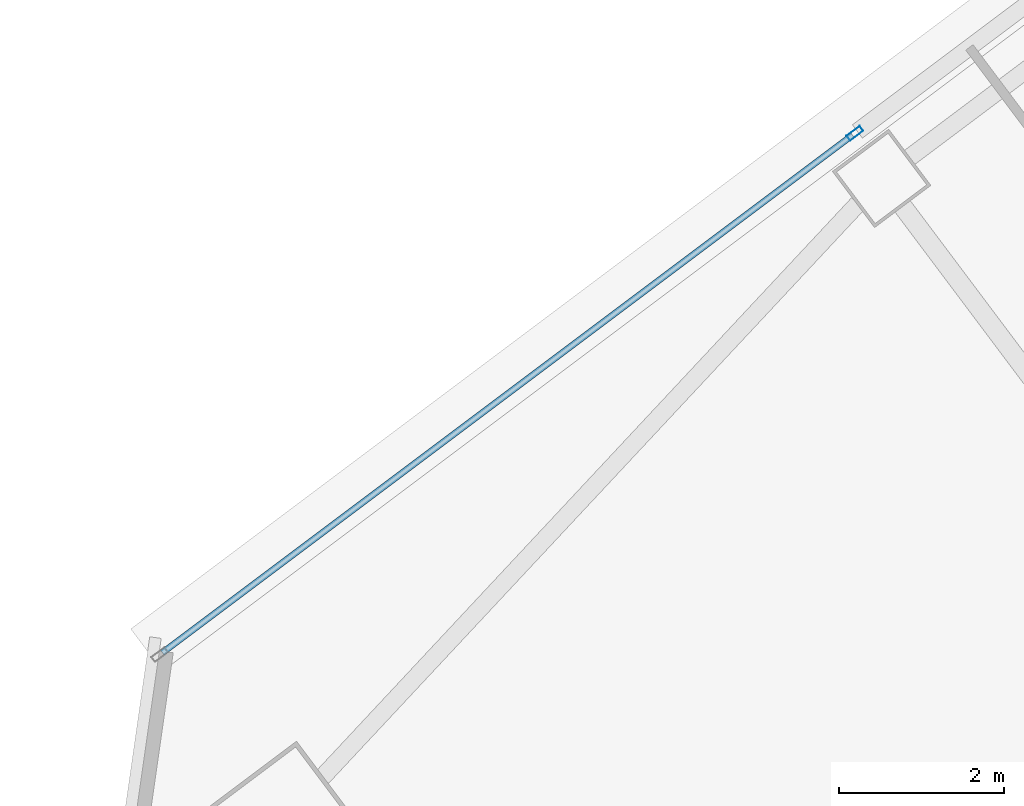
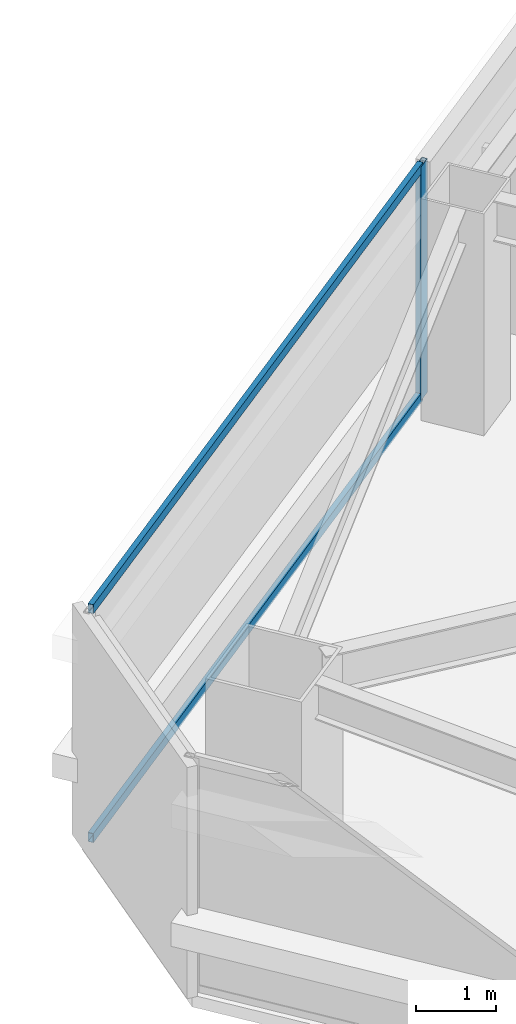
# One storey, part 25 of 41: 3 members, 1 element without a shape of its own.
"""IFC4 building model written with IfcOpenShell, lengths in metres."""

from ifc_helpers import new_model, si_unit, direction, frame, origin, origin_2d, place, context, subcontext, project, spatial, hollow_rectangle, extrude, material, material_profile, profile_set, type_object, element, aggregate, save


model = new_model("IFC4")

# Units and contexts
model_context = context("Model", 3, precision=1e-05, world=origin(), true_north=direction((0.0, 1.0)))
body_context = subcontext(model_context, "Body", "Model", "MODEL_VIEW")
ifc_project = project(units=[si_unit("LENGTHUNIT", "METRE"), si_unit("AREAUNIT", "SQUARE_METRE"), si_unit("VOLUMEUNIT", "CUBIC_METRE"), si_unit("PLANEANGLEUNIT", "RADIAN"), si_unit("MASSUNIT", "GRAM", prefix="KILO")], contexts=[model_context])

# Site, building, storey
site_placement = place(None, origin())
site = spatial("IfcSite", under=ifc_project, at=site_placement, CompositionType="ELEMENT")
building_placement = place(site_placement, origin())
building = spatial("IfcBuilding", under=site, at=building_placement, Name="Tashvorn Skyway Center", CompositionType="ELEMENT")
storey_placement = place(building_placement, frame((0.0, 0.0, 117.949951171875)))
storey = spatial("IfcBuildingStorey", under=building, at=storey_placement, Name="L31", CompositionType="ELEMENT", Elevation=117.949951171875)

# Curtain wall, members
ifc_material = material(Name="Thermally broken bronze-anodized aluminium 6063-T6", Category="aluminium")
curtain_wall_type = type_object("IfcCurtainWallType", Name="CW-CW-Z3", PredefinedType="NOTDEFINED", material=ifc_material)
curtain_wall_placement = place(storey_placement, origin())
curtain_wall = element("IfcCurtainWall", 1, at=curtain_wall_placement, inside=storey, type_object=curtain_wall_type, Name="Tower 2 L31 North Unitised Curtain Wall Glazing Group 1", PredefinedType="NOTDEFINED")
ifc_material_profile_1 = material_profile(ifc_material, hollow_rectangle(XDim=0.074951171875, YDim=0.199951171875, WallThickness=0.00439453125, at=origin_2d()), Name="ALU-MULL-75x200")
ifc_profile_set_1 = profile_set([ifc_material_profile_1], Name="Thermally broken bronze-anodized aluminium 6063-T6")
member_type_1 = type_object("IfcMemberType", Name="CWM-CW-Z3", PredefinedType="MULLION", material=ifc_profile_set_1)
member_1_placement = place(storey_placement, frame((98.767333984375, 43.425537109375, 0.0), z_axis=(0.0, 0.0, 1.0), x_axis=(-0.600001511345, 0.799998866489, 0.0)))
member_1 = element("IfcMember", 2, at=member_1_placement, type_object=member_type_1, Name="CW-Z3 mullion 2", PredefinedType="MULLION", context=body_context, shape_type="SweptSolid", body=[
    extrude(hollow_rectangle(XDim=0.074951171875, YDim=0.199951171875, WallThickness=0.00439453125, at=origin_2d()), origin(), (0.0, 0.0, 1.0), 3.550048828125),
])
ifc_material_profile_2 = material_profile(ifc_material, hollow_rectangle(XDim=0.074951171875, YDim=0.139892578125, WallThickness=0.004150390625, at=origin_2d()), Name="ALU-TRAN-75x140")
ifc_profile_set_2 = profile_set([ifc_material_profile_2], Name="Thermally broken bronze-anodized aluminium 6063-T6")
member_type_2 = type_object("IfcMemberType", Name="CWT-CW-Z3", PredefinedType="USERDEFINED", material=ifc_profile_set_2)
member_2_placement = place(storey_placement, frame((90.387939453125, 37.14111328125, 0.03759765625), z_axis=(0.800002807101, 0.599996257181, 0.0), x_axis=(-0.599996257181, 0.800002807101, 0.0)))
member_2 = element("IfcMember", 3, at=member_2_placement, type_object=member_type_2, Name="CW-Z3 transom 1.1", ObjectType="TRANSOM", PredefinedType="USERDEFINED", context=body_context, shape_type="SweptSolid", body=[
    extrude(hollow_rectangle(XDim=0.074951171875, YDim=0.139892578125, WallThickness=0.004150390625, at=origin_2d()), origin(), (0.0, 0.0, 1.0), 10.436767578125),
])
member_3_placement = place(storey_placement, frame((90.387939453125, 37.14111328125, 3.512451171875), z_axis=(0.800002807101, 0.599996257181, 0.0), x_axis=(-0.599996257181, 0.800002807101, 0.0)))
member_3 = element("IfcMember", 4, at=member_3_placement, type_object=member_type_2, Name="CW-Z3 transom 1.2", ObjectType="TRANSOM", PredefinedType="USERDEFINED", context=body_context, shape_type="SweptSolid", body=[
    extrude(hollow_rectangle(XDim=0.074951171875, YDim=0.139892578125, WallThickness=0.004150390625, at=origin_2d()), origin(), (0.0, 0.0, 1.0), 10.436767578125),
])
aggregate(curtain_wall, [member_1, member_2, member_3])

save(model, "model.ifc")
